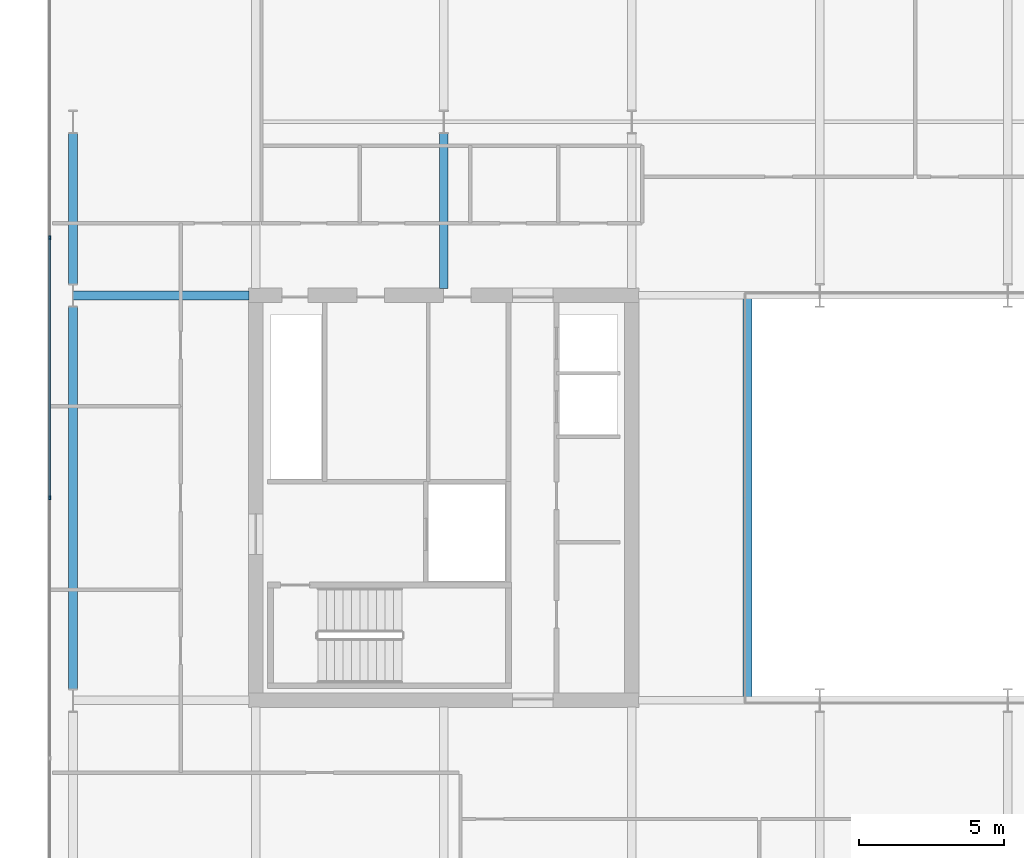
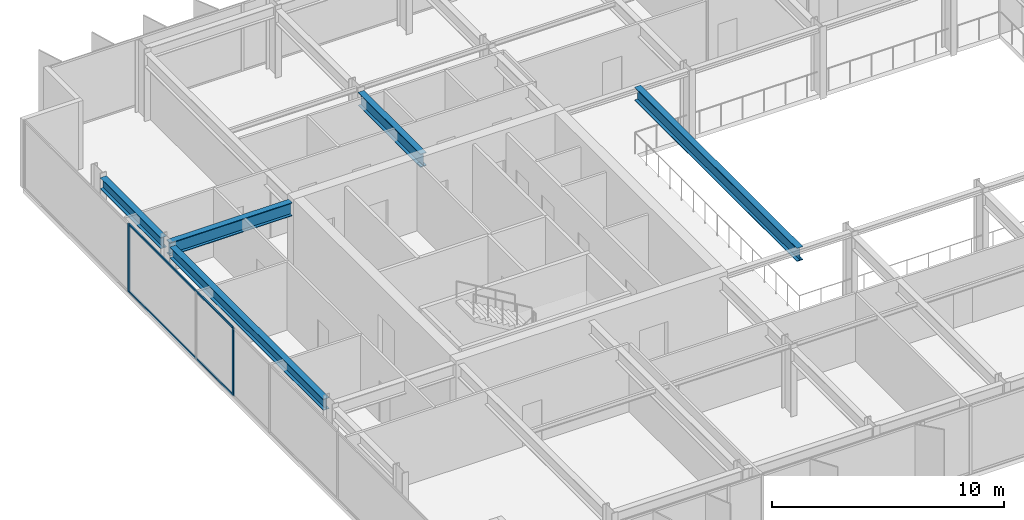
# One storey, part 5 of 23: 5 beams, 4 members, 1 element without a shape of its own.
"""IFC4 building model written with IfcOpenShell, lengths in metres."""

from ifc_helpers import new_model, si_unit, direction, frame, origin, origin_2d, place, context, subcontext, project, spatial, rectangle, i_section, extrude, material, layer, layer_set, material_profile, profile_set, type_object, element, aggregate, save


model = new_model("IFC4")

# Units and contexts
model_context = context("Model", 3, precision=1e-05, world=origin(), true_north=direction((0.0, 1.0)))
body_context = subcontext(model_context, "Body", "Model", "MODEL_VIEW")
ifc_project = project(units=[si_unit("LENGTHUNIT", "METRE"), si_unit("AREAUNIT", "SQUARE_METRE"), si_unit("VOLUMEUNIT", "CUBIC_METRE"), si_unit("PLANEANGLEUNIT", "RADIAN"), si_unit("MASSUNIT", "GRAM", prefix="KILO")], contexts=[model_context])

# Site, building, storey
site_placement = place(None, origin())
site = spatial("IfcSite", under=ifc_project, at=site_placement, CompositionType="ELEMENT")
building_placement = place(site_placement, origin())
building = spatial("IfcBuilding", under=site, at=building_placement, Name="Putna Gate Headquarters", CompositionType="ELEMENT")
storey_placement = place(building_placement, frame((0.0, 0.0, 229.0)))
storey = spatial("IfcBuildingStorey", under=building, at=storey_placement, Name="L57", CompositionType="ELEMENT", Elevation=229.0)

# Beams
ifc_material_1 = material(Name="Steel S355J2", Category="steel")
ifc_material_profile_1 = material_profile(ifc_material_1, i_section(OverallWidth=0.300048828125, OverallDepth=0.699951171875, WebThickness=0.01708984375, FlangeThickness=0.031982421875, at=origin_2d()), Name="Steel S355J2")
ifc_profile_set_1 = profile_set([ifc_material_profile_1], Name="Steel S355J2")
beam_type_1 = type_object("IfcBeamType", Name="BM-GIRD-B-HEB700", PredefinedType="USERDEFINED", material=ifc_profile_set_1)
beam_1_placement = place(storey_placement, frame((6.68603515625, 33.0, 3.22998046875), z_axis=(1.0, 0.0, 0.0), x_axis=(0.0, 1.0, 0.0)))
element("IfcBeam", 1, at=beam_1_placement, inside=storey, type_object=beam_type_1, Name="L57 West Wing Girder Y33", ObjectType="GIRDER", PredefinedType="USERDEFINED", context=body_context, shape_type="SweptSolid", body=[
    extrude(i_section(OverallWidth=0.300048828125, OverallDepth=0.699951171875, WebThickness=0.01708984375, FlangeThickness=0.031982421875, at=origin_2d()), origin(), (0.0, 0.0, 1.0), 6.078857421875),
])
beam_2_placement = place(storey_placement, frame((19.5, 33.235107421875, 3.22998046875), z_axis=(0.0, 1.0, 0.0), x_axis=(-1.0, 0.0, 0.0)))
element("IfcBeam", 2, at=beam_2_placement, inside=storey, type_object=beam_type_1, Name="L57 North Primary Girder X19-1", ObjectType="GIRDER", PredefinedType="USERDEFINED", context=body_context, shape_type="SweptSolid", body=[
    extrude(i_section(OverallWidth=0.300048828125, OverallDepth=0.699951171875, WebThickness=0.01708984375, FlangeThickness=0.031982421875, at=origin_2d()), origin(), (0.0, 0.0, 1.0), 5.369873046875),
])
beam_3_placement = place(storey_placement, frame((30.0, 19.010009765625, 3.22998046875), z_axis=(0.0, 1.0, 0.0), x_axis=(-1.0, 0.0, 0.0)))
element("IfcBeam", 3, at=beam_3_placement, inside=storey, type_object=beam_type_1, Name="L57 Atrium Trim Girder AW", ObjectType="GIRDER", PredefinedType="USERDEFINED", context=body_context, shape_type="SweptSolid", body=[
    extrude(i_section(OverallWidth=0.300048828125, OverallDepth=0.699951171875, WebThickness=0.01708984375, FlangeThickness=0.031982421875, at=origin_2d()), origin(), (0.0, 0.0, 1.0), 13.97998046875),
])
ifc_material_profile_2 = material_profile(ifc_material_1, i_section(OverallWidth=0.300048828125, OverallDepth=0.590087890625, WebThickness=0.012939453125, FlangeThickness=0.02490234375, at=origin_2d()), Name="Steel S355J2")
ifc_profile_set_2 = profile_set([ifc_material_profile_2], Name="Steel S355J2")
beam_type_2 = type_object("IfcBeamType", Name="BM-SPAN-Z4-HEA600", PredefinedType="SPANDREL", material=ifc_profile_set_2)
beam_4_placement = place(storey_placement, frame((6.679931640625, 19.39501953125, 3.284912109375), z_axis=(0.0, 1.0, 0.0), x_axis=(-1.0, 0.0, 0.0)))
element("IfcBeam", 4, at=beam_4_placement, inside=storey, type_object=beam_type_2, Name="L57 W End Spandrel 2", PredefinedType="SPANDREL", context=body_context, shape_type="SweptSolid", body=[
    extrude(i_section(OverallWidth=0.300048828125, OverallDepth=0.590087890625, WebThickness=0.012939453125, FlangeThickness=0.02490234375, at=origin_2d()), origin(), (0.0, 0.0, 1.0), 13.2099609375),
])
beam_5_placement = place(storey_placement, frame((6.679931640625, 33.39501953125, 3.284912109375), z_axis=(0.0, 1.0, 0.0), x_axis=(-1.0, 0.0, 0.0)))
element("IfcBeam", 5, at=beam_5_placement, inside=storey, type_object=beam_type_2, Name="L57 W End Spandrel 3", PredefinedType="SPANDREL", context=body_context, shape_type="SweptSolid", body=[
    extrude(i_section(OverallWidth=0.300048828125, OverallDepth=0.590087890625, WebThickness=0.012939453125, FlangeThickness=0.02490234375, at=origin_2d()), origin(), (0.0, 0.0, 1.0), 5.2099609375),
])

# Curtain wall, members
ifc_material_2 = material(Name="Anodised bronze aluminium curtain wall", Category="aluminium")
ifc_layer = layer(ifc_material_2, 0.139892578125)
ifc_layer_set = layer_set([ifc_layer], Name="Anodised bronze aluminium curtain wall")
curtain_wall_type = type_object("IfcCurtainWallType", Name="CW-SYS-Z4", PredefinedType="USERDEFINED", material=ifc_layer_set)
curtain_wall_placement = place(storey_placement, origin())
curtain_wall = element("IfcCurtainWall", 6, at=curtain_wall_placement, inside=storey, type_object=curtain_wall_type, Name="L57 West Curtain Wall", ObjectType="STICK CURTAIN WALL", PredefinedType="USERDEFINED")
ifc_material_3 = material(Name="Anodised bronze aluminium EN AW-6060", Category="aluminium")
ifc_material_profile_3 = material_profile(ifc_material_3, rectangle(XDim=0.06005859375, YDim=0.139892578125, at=origin_2d()), Name="Anodised bronze aluminium EN AW-6060")
ifc_profile_set_3 = profile_set([ifc_material_profile_3], Name="Anodised bronze aluminium EN AW-6060")
member_type_1 = type_object("IfcMemberType", Name="MULL-CWM-4", PredefinedType="MULLION", material=ifc_profile_set_3)
member_1_placement = place(storey_placement, frame((5.8798828125, 26.0, 0.0), z_axis=(0.0, 0.0, 1.0), x_axis=(-1.0, 0.0, 0.0)))
member_1 = element("IfcMember", 7, at=member_1_placement, type_object=member_type_1, Name="CWS-4 mullion 3", PredefinedType="MULLION", context=body_context, shape_type="SweptSolid", body=[
    extrude(rectangle(XDim=0.06005859375, YDim=0.139892578125, at=origin_2d()), origin(), (0.0, 0.0, 1.0), 3.580078125),
])
member_2_placement = place(storey_placement, frame((5.8798828125, 35.0, 0.0), z_axis=(0.0, 0.0, 1.0), x_axis=(-1.0, 0.0, 0.0)))
member_2 = element("IfcMember", 8, at=member_2_placement, type_object=member_type_1, Name="CWS-4 mullion 4", PredefinedType="MULLION", context=body_context, shape_type="SweptSolid", body=[
    extrude(rectangle(XDim=0.06005859375, YDim=0.139892578125, at=origin_2d()), origin(), (0.0, 0.0, 1.0), 3.580078125),
])
ifc_material_profile_4 = material_profile(ifc_material_3, rectangle(XDim=0.06005859375, YDim=0.10009765625, at=origin_2d()), Name="Anodised bronze aluminium EN AW-6060")
ifc_profile_set_4 = profile_set([ifc_material_profile_4], Name="Anodised bronze aluminium EN AW-6060")
member_type_2 = type_object("IfcMemberType", Name="TRAN-CWT-4", PredefinedType="USERDEFINED", material=ifc_profile_set_4)
member_3_placement = place(storey_placement, frame((5.8798828125, 26.030029296875, 0.030029296875), z_axis=(0.0, 1.0, 0.0), x_axis=(-1.0, 0.0, 0.0)))
member_3 = element("IfcMember", 9, at=member_3_placement, type_object=member_type_2, Name="CWS-4 transom 3.1", ObjectType="TRANSOM", PredefinedType="USERDEFINED", context=body_context, shape_type="SweptSolid", body=[
    extrude(rectangle(XDim=0.06005859375, YDim=0.10009765625, at=origin_2d()), origin(), (0.0, 0.0, 1.0), 8.93994140625),
])
member_4_placement = place(storey_placement, frame((5.8798828125, 26.030029296875, 3.550048828125), z_axis=(0.0, 1.0, 0.0), x_axis=(-1.0, 0.0, 0.0)))
member_4 = element("IfcMember", 10, at=member_4_placement, type_object=member_type_2, Name="CWS-4 transom 3.2", ObjectType="TRANSOM", PredefinedType="USERDEFINED", context=body_context, shape_type="SweptSolid", body=[
    extrude(rectangle(XDim=0.06005859375, YDim=0.10009765625, at=origin_2d()), origin(), (0.0, 0.0, 1.0), 8.93994140625),
])
aggregate(curtain_wall, [member_1, member_2, member_3, member_4])

save(model, "model.ifc")
